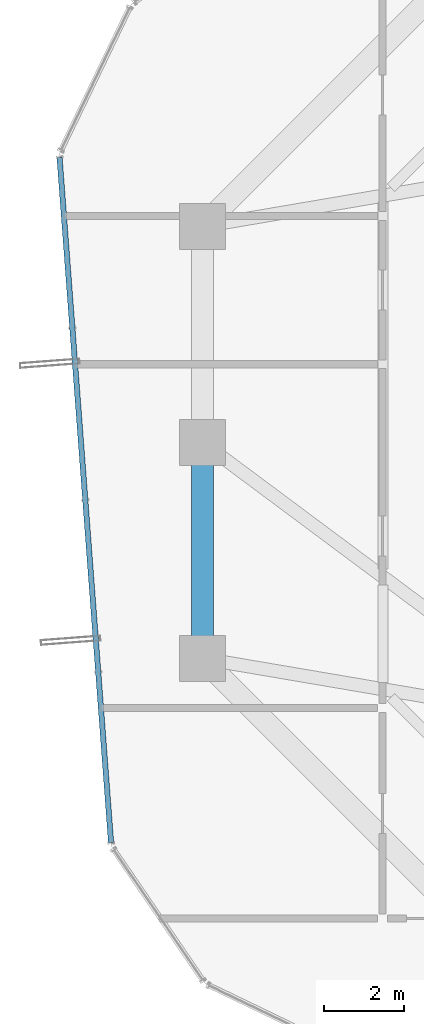
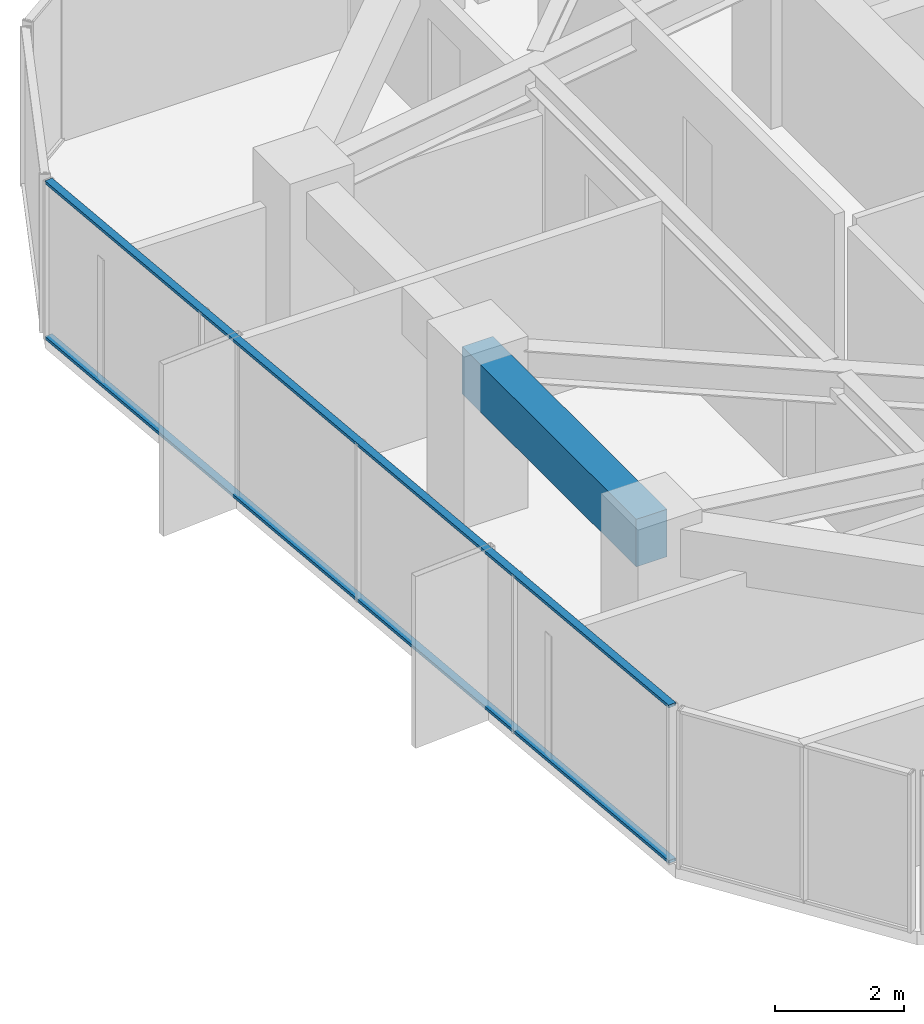
# One storey, part 11 of 35: 2 members, 1 beam, 1 element without a shape of its own.
"""IFC4 building model written with IfcOpenShell, lengths in metres."""

import ifcopenshell
import ifcopenshell.guid

model = None  # the IFC model being written
_history = None  # IfcOwnerHistory: only IFC2X3 demands one
_inside = {}  # id of a spatial element -> (the spatial element, [elements in it])
_under = {}  # id of a project, library or spatial element -> (it, [spatial elements below it])
_declared = {}  # id of a project -> (the project, [libraries it declares])
_typed = {}  # id of a type object -> (the type object, [elements of that type])
_made_of = {}  # id of a material, layer set ... -> (it, [elements and type objects made of it])


def new_model(schema):
    """Start an empty IFC model of exactly this schema.

    Asked for "IFC4X3", IfcOpenShell would pick the latest addendum, in which some entities
    have other attributes; the version numbers below select the first issue.
    IFC2X3 requires an IfcOwnerHistory on every rooted entity: one is made here for all.
    """
    global model, _history
    if schema == "IFC4X3":
        model = ifcopenshell.file(schema_version=(4, 3, 0, 0))
    else:
        model = ifcopenshell.file(schema=schema)
    _inside.clear()
    _under.clear()
    _declared.clear()
    _typed.clear()
    _made_of.clear()
    _history = None
    if model.schema == "IFC2X3":
        org = make("IfcOrganization", Name="unknown")
        user = make(
            "IfcPersonAndOrganization",
            ThePerson=make("IfcPerson", FamilyName="unknown"),
            TheOrganization=org,
        )
        app = make(
            "IfcApplication",
            ApplicationDeveloper=org,
            Version="unknown",
            ApplicationFullName="unknown",
            ApplicationIdentifier="unknown",
        )
        _history = make(
            "IfcOwnerHistory",
            OwningUser=user,
            OwningApplication=app,
            ChangeAction="ADDED",
            CreationDate=0,
        )
    return model


def make(cls, **values):
    """One entity of the class cls with the attributes given. An attribute that is None is left unset."""
    return model.create_entity(
        cls, **{name: value for name, value in values.items() if value is not None}
    )


def rooted(cls, **values):
    """An entity with a GlobalId (a new one), such as an element, a storey or a relation."""
    return make(cls, GlobalId=ifcopenshell.guid.new(), OwnerHistory=_history, **values)


def si_unit(unit_type, name, prefix=None):
    """IfcSIUnit, for example si_unit("LENGTHUNIT", "METRE", prefix="MILLI")."""
    return make("IfcSIUnit", UnitType=unit_type, Prefix=prefix, Name=name)


def assignment(units):
    """IfcUnitAssignment: the units of a project."""
    return None if units is None else make("IfcUnitAssignment", Units=units)


def point(xyz):
    """IfcCartesianPoint."""
    return None if xyz is None else make("IfcCartesianPoint", Coordinates=xyz)


def direction(xyz):
    """IfcDirection."""
    return None if xyz is None else make("IfcDirection", DirectionRatios=xyz)


def frame(location, z_axis=None, x_axis=None):
    """IfcAxis2Placement3D, a coordinate frame: its origin and axes. An axis left out is left unset."""
    return make(
        "IfcAxis2Placement3D",
        Location=point(location),
        Axis=direction(z_axis),
        RefDirection=direction(x_axis),
    )


def frame_2d(location, x_axis=None):
    """IfcAxis2Placement2D, a coordinate frame in the plane: its origin and x axis."""
    return make(
        "IfcAxis2Placement2D", Location=point(location), RefDirection=direction(x_axis)
    )


def origin():
    """The frame at (0, 0, 0) with its axes left unset."""
    return frame((0.0, 0.0, 0.0))


def origin_2d():
    """The frame at (0, 0) in the plane with its x axis left unset."""
    return frame_2d((0.0, 0.0))


def place(relative_to, where):
    """IfcLocalPlacement: puts the frame where relative to a parent placement (None: the world)."""
    return make(
        "IfcLocalPlacement", PlacementRelTo=relative_to, RelativePlacement=where
    )


def context(
    kind, dimensions, precision=None, world=None, true_north=None, identifier=None
):
    """IfcGeometricRepresentationContext, for example the 3D "Model" context."""
    return make(
        "IfcGeometricRepresentationContext",
        ContextIdentifier=identifier,
        ContextType=kind,
        CoordinateSpaceDimension=dimensions,
        Precision=precision,
        WorldCoordinateSystem=world,
        TrueNorth=true_north,
    )


def subcontext(parent, identifier, kind, view, scale=None):
    """IfcGeometricRepresentationSubContext, for example "Body" below "Model"."""
    return make(
        "IfcGeometricRepresentationSubContext",
        ContextIdentifier=identifier,
        ContextType=kind,
        ParentContext=parent,
        TargetScale=scale,
        TargetView=view,
    )


def project(units=None, contexts=None):
    """IfcProject with its units and contexts."""
    return rooted(
        "IfcProject",
        Name="project",
        RepresentationContexts=contexts,
        UnitsInContext=assignment(units),
    )


def spatial(cls, under=None, at=None, **own):
    """A site, building, storey or space (cls), placed at a placement, below another one or the project."""
    s = rooted(cls, ObjectPlacement=at, **own)
    if under is not None:
        _under.setdefault(under.id(), (under, []))[1].append(s)
    return s


def profile(cls, at=None, kind="AREA", **sizes):
    """A parametric profile (cls). Its sizes go by their IFC names, for example OverallWidth=200.0."""
    return make(cls, ProfileType=kind, Position=at, **sizes)


def rectangle(**sizes):
    """IfcRectangleProfileDef."""
    return profile("IfcRectangleProfileDef", **sizes)


def hollow_rectangle(**sizes):
    """IfcRectangleHollowProfileDef."""
    return profile("IfcRectangleHollowProfileDef", **sizes)


def extrude(swept, where, along, depth):
    """IfcExtrudedAreaSolid: the profile swept, set in the frame where, extruded along a direction by depth."""
    return make(
        "IfcExtrudedAreaSolid",
        SweptArea=swept,
        Position=where,
        ExtrudedDirection=direction(along),
        Depth=depth,
    )


def shape(context_of_items, identifier, shape_type, items):
    """IfcShapeRepresentation: the items that make up one representation, for example the "Body"."""
    return make(
        "IfcShapeRepresentation",
        ContextOfItems=context_of_items,
        RepresentationIdentifier=identifier,
        RepresentationType=shape_type,
        Items=items,
    )


def source(mapping_origin, context_of_items, identifier, shape_type, items):
    """IfcRepresentationMap: a shape defined once, which mapped items show again and again."""
    return make(
        "IfcRepresentationMap",
        MappingOrigin=mapping_origin,
        MappedRepresentation=shape(context_of_items, identifier, shape_type, items),
    )


def transform(
    local_origin,
    x_axis=None,
    y_axis=None,
    z_axis=None,
    scale=None,
    scale2=None,
    scale3=None,
    uniform=True,
):
    """IfcCartesianTransformationOperator3D, or its non-uniform kind. x_axis, y_axis, z_axis: its Axis1, 2, 3."""
    if uniform:
        return make(
            "IfcCartesianTransformationOperator3D",
            Axis1=direction(x_axis),
            Axis2=direction(y_axis),
            LocalOrigin=point(local_origin),
            Scale=scale,
            Axis3=direction(z_axis),
        )
    return make(
        "IfcCartesianTransformationOperator3DnonUniform",
        Axis1=direction(x_axis),
        Axis2=direction(y_axis),
        LocalOrigin=point(local_origin),
        Scale=scale,
        Axis3=direction(z_axis),
        Scale2=scale2,
        Scale3=scale3,
    )


def mapped(mapping_source, mapping_target):
    """IfcMappedItem: shows the shape of a source again, moved by a transform."""
    return make(
        "IfcMappedItem", MappingSource=mapping_source, MappingTarget=mapping_target
    )


def material(Name=None, Category=None):
    """IfcMaterial."""
    return make("IfcMaterial", Name=Name, Category=Category)


def layer(
    of_material, thickness, ventilated=None, Name=None, Category=None, Priority=None
):
    """IfcMaterialLayer: one layer of a wall or slab, of a material (None: an air gap)."""
    return make(
        "IfcMaterialLayer",
        Material=of_material,
        LayerThickness=thickness,
        IsVentilated=ventilated,
        Name=Name,
        Category=Category,
        Priority=Priority,
    )


def layer_set(layers, Name=None):
    """IfcMaterialLayerSet."""
    return make("IfcMaterialLayerSet", MaterialLayers=layers, LayerSetName=Name)


def material_profile(
    of_material, cross_section, Name=None, Category=None, Priority=None
):
    """IfcMaterialProfile: a cross section and its material."""
    return make(
        "IfcMaterialProfile",
        Name=Name,
        Material=of_material,
        Profile=cross_section,
        Priority=Priority,
        Category=Category,
    )


def profile_set(profiles, Name=None, composite=None):
    """IfcMaterialProfileSet."""
    return make(
        "IfcMaterialProfileSet",
        Name=Name,
        MaterialProfiles=profiles,
        CompositeProfile=composite,
    )


def made_of(thing, what):
    """Note that an element or type object is made of a material, layer set ...; save() writes the relation."""
    if what is not None:
        _made_of.setdefault(what.id(), (what, []))[1].append(thing)
    return thing


def type_object(cls, material=None, **own):
    """A type object (cls), such as IfcWallType, which elements share."""
    return made_of(rooted(cls, **own), material)


def element(
    cls,
    number,
    at=None,
    inside=None,
    cuts=None,
    type_object=None,
    material=None,
    context=None,
    identifier="Body",
    shape_type=None,
    held_by="IfcProductDefinitionShape",
    body=None,
    shapes=None,
    **own,
):
    """One element of the class cls, such as IfcWall. Its Tag is "e" and its number.

    at: its placement. inside: the storey or other place that contains it. cuts: it is an
    opening in that element (IfcRelVoidsElement). A single representation is given by context,
    identifier, shape_type and body (its items); several are given by shapes. held_by: the class
    of the entity that holds the representations. save() writes the other relations.
    """
    e = rooted(cls, Tag="e%d" % number, ObjectPlacement=at, **own)
    if body is not None:
        shapes = [shape(context, identifier, shape_type, body)]
    if shapes is not None:
        e.Representation = make(held_by, Representations=shapes)
    if inside is not None:
        _inside.setdefault(inside.id(), (inside, []))[1].append(e)
    if cuts is not None:
        rooted(
            "IfcRelVoidsElement", RelatingBuildingElement=cuts, RelatedOpeningElement=e
        )
    if type_object is not None:
        _typed.setdefault(type_object.id(), (type_object, []))[1].append(e)
    return made_of(e, material)


def aggregate(whole, parts):
    """IfcRelAggregates: a whole, such as a stair, and the parts it consists of."""
    return rooted("IfcRelAggregates", RelatingObject=whole, RelatedObjects=parts)


def save(model, path):
    """Write the relations noted so far, then the file.

    IfcRelAggregates (storeys below a building ...), IfcRelContainedInSpatialStructure (elements
    in a storey), IfcRelDefinesByType, IfcRelAssociatesMaterial and IfcRelDeclares: one each for
    every whole, place, type object, material and project.
    """
    for whole, parts in _under.values():
        aggregate(whole, parts)
    for where, things in _inside.values():
        rooted(
            "IfcRelContainedInSpatialStructure",
            RelatedElements=things,
            RelatingStructure=where,
        )
    for kind, things in _typed.values():
        rooted("IfcRelDefinesByType", RelatedObjects=things, RelatingType=kind)
    for what, things in _made_of.values():
        rooted("IfcRelAssociatesMaterial", RelatedObjects=things, RelatingMaterial=what)
    for by, libraries in _declared.values():
        rooted("IfcRelDeclares", RelatingContext=by, RelatedDefinitions=libraries)
    model.write(path)


model = new_model("IFC4")

# Units and contexts
model_context = context("Model", 3, precision=1e-05, world=origin(), true_north=direction((0.0, 1.0)))
body_context = subcontext(model_context, "Body", "Model", "MODEL_VIEW")
ifc_project = project(units=[si_unit("LENGTHUNIT", "METRE"), si_unit("AREAUNIT", "SQUARE_METRE"), si_unit("VOLUMEUNIT", "CUBIC_METRE"), si_unit("PLANEANGLEUNIT", "RADIAN"), si_unit("MASSUNIT", "GRAM", prefix="KILO")], contexts=[model_context])

# Site, building, storey
site_placement = place(None, origin())
site = spatial("IfcSite", under=ifc_project, at=site_placement, CompositionType="ELEMENT")
building_placement = place(site_placement, origin())
building = spatial("IfcBuilding", under=site, at=building_placement, Name="Veraguas Prism Commons", CompositionType="ELEMENT")
storey_placement = place(building_placement, frame((0.0, 0.0, 142.5)))
storey = spatial("IfcBuildingStorey", under=building, at=storey_placement, Name="L40", CompositionType="ELEMENT", Elevation=142.5)

# Beam
ifc_material_1 = material(Name="Concrete C50/60", Category="concrete")
ifc_material_profile_1 = material_profile(ifc_material_1, rectangle(XDim=0.550048828125, YDim=0.89990234375, at=origin_2d()), Name="RC550X900")
ifc_profile_set_1 = profile_set([ifc_material_profile_1], Name="Concrete C50/60")
beam_type = type_object("IfcBeamType", Name="Perimeter Spandrel Lower RC 550x900", PredefinedType="SPANDREL", material=ifc_profile_set_1)
beam_placement = place(storey_placement, frame((7.800048828125, 24.0, 2.550048828125), z_axis=(0.0, -1.0, 0.0), x_axis=(1.0, 0.0, 0.0)))
element("IfcBeam", 1, at=beam_placement, inside=storey, type_object=beam_type, Name="Perimeter Spandrel Beam L40-SP08", PredefinedType="SPANDREL", context=body_context, shape_type="SweptSolid", body=[
    extrude(rectangle(XDim=0.550048828125, YDim=0.89990234375, at=origin_2d()), origin(), (0.0, 0.0, 1.0), 5.39990234375),
])

# Curtain wall, members
ifc_material_2 = material(Name="Anodised aluminium EN AW-6063 T6", Category="aluminium")
ifc_layer = layer(ifc_material_2, 0.169921875, Name="Unitised Flush Curtain Wall Zone 2", Category="aluminium")
ifc_layer_set = layer_set([ifc_layer], Name="Anodised aluminium EN AW-6063 T6")
curtain_wall_type = type_object("IfcCurtainWallType", Name="Unitised Flush Curtain Wall Zone 2", PredefinedType="NOTDEFINED", material=ifc_layer_set)
curtain_wall_placement = place(storey_placement, origin())
curtain_wall = element("IfcCurtainWall", 2, at=curtain_wall_placement, inside=storey, type_object=curtain_wall_type, Name="Tower Facade Curtain Wall L40-F3", PredefinedType="NOTDEFINED")
ifc_material_profile_2 = material_profile(ifc_material_2, hollow_rectangle(XDim=0.054931640625, YDim=0.135009765625, WallThickness=0.0029296875, at=origin_2d()), Name="AL55X135X3")
ifc_profile_set_2 = profile_set([ifc_material_profile_2], Name="Anodised aluminium EN AW-6063 T6")
member_type = type_object("IfcMemberType", Name="Curtain Wall Transom Standard AL 55x135x3", PredefinedType="USERDEFINED", material=ifc_profile_set_2)
shared_shape = source(origin(), body_context, "Body", "SweptSolid", [
    extrude(hollow_rectangle(XDim=0.054931640625, YDim=0.135009765625, WallThickness=0.0029296875, at=origin_2d()), origin(), (0.0, 0.0, 1.0), 17.17431640625),
])
member_1_placement = place(storey_placement, frame((4.2275390625, 31.124755859375, 0.027587890625), z_axis=(0.074986436127, -0.99718455383, 0.0), x_axis=(0.0, 0.0, 1.0)))
member_1 = element("IfcMember", 3, at=member_1_placement, type_object=member_type, Name="CW-Z2 Transom 1", ObjectType="TRANSOM", PredefinedType="USERDEFINED", context=body_context, shape_type="MappedRepresentation", body=[
    mapped(shared_shape, transform((0.0, 0.0, 0.0), scale=1.0)),
])
member_2_placement = place(storey_placement, frame((4.2275390625, 31.124755859375, 2.972412109375), z_axis=(0.074986436127, -0.99718455383, 0.0), x_axis=(0.0, 0.0, 1.0)))
member_2 = element("IfcMember", 4, at=member_2_placement, type_object=member_type, Name="CW-Z2 Transom 2", ObjectType="TRANSOM", PredefinedType="USERDEFINED", context=body_context, shape_type="MappedRepresentation", body=[
    mapped(shared_shape, transform((0.0, 0.0, 0.0), scale=1.0)),
])
aggregate(curtain_wall, [member_1, member_2])

save(model, "model.ifc")
